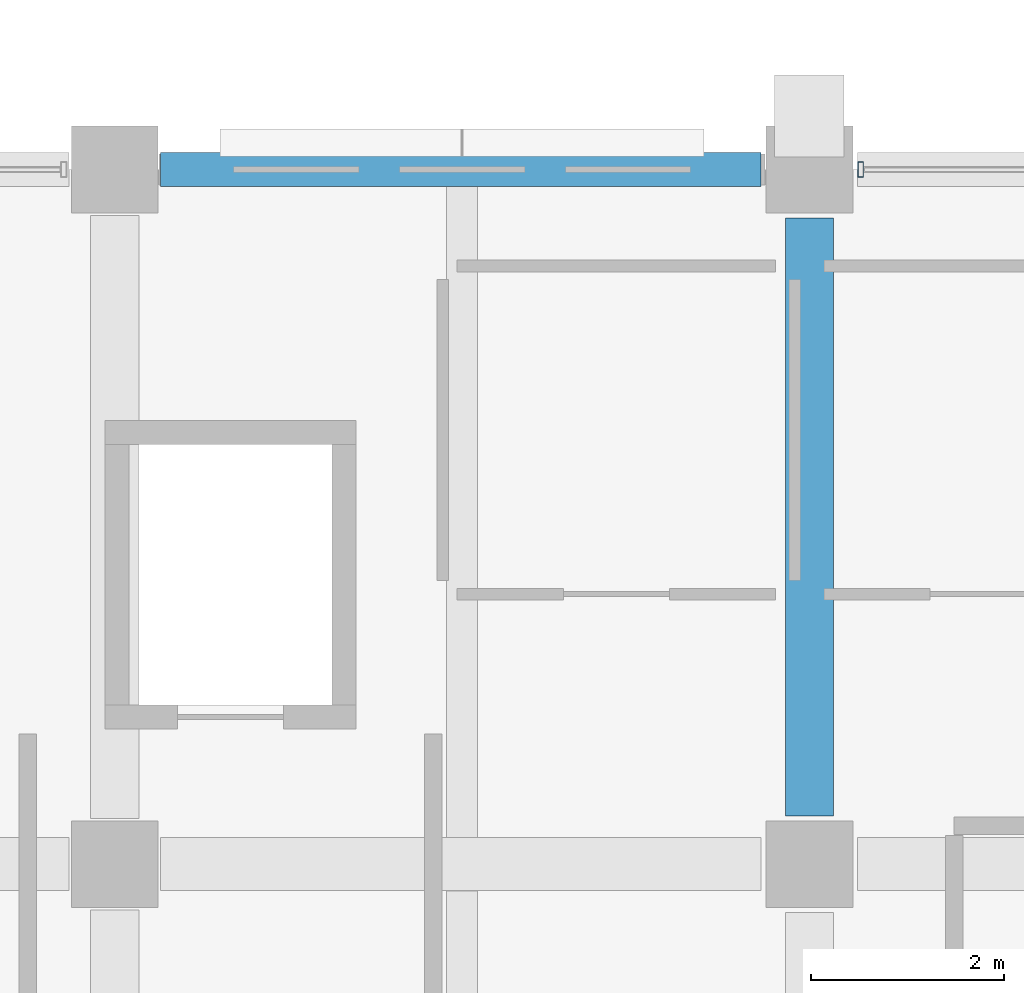
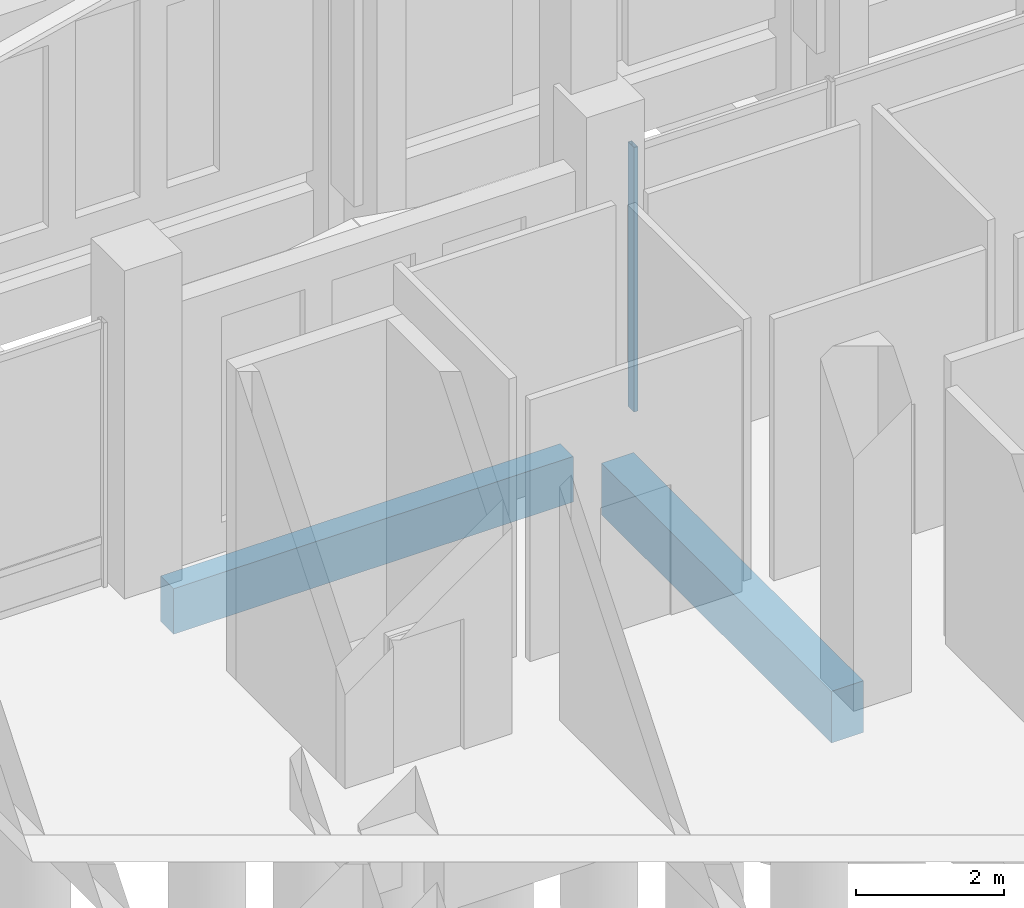
# One storey, part 96 of 192: 2 beams, 1 member, 1 element without a shape of its own.
"""IFC4 building model written with IfcOpenShell, lengths in metres."""

from ifc_helpers import new_model, si_unit, direction, frame, origin, origin_2d, place, context, subcontext, project, spatial, rectangle, hollow_rectangle, extrude, material, material_profile, profile_set, type_object, element, aggregate, save


model = new_model("IFC4")

# Units and contexts
model_context = context("Model", 3, precision=1e-05, world=origin(), true_north=direction((0.0, 1.0)))
body_context = subcontext(model_context, "Body", "Model", "MODEL_VIEW")
ifc_project = project(units=[si_unit("LENGTHUNIT", "METRE"), si_unit("AREAUNIT", "SQUARE_METRE"), si_unit("VOLUMEUNIT", "CUBIC_METRE"), si_unit("PLANEANGLEUNIT", "RADIAN"), si_unit("MASSUNIT", "GRAM", prefix="KILO")], contexts=[model_context])

# Site, building, storey
site_placement = place(None, origin())
site = spatial("IfcSite", under=ifc_project, at=site_placement, CompositionType="ELEMENT")
building_placement = place(site_placement, origin())
building = spatial("IfcBuilding", under=site, at=building_placement, Name="Cendralis Lancet Convention Centre", CompositionType="ELEMENT")
storey_placement = place(building_placement, origin())
storey = spatial("IfcBuildingStorey", under=building, at=storey_placement, Name="L00", CompositionType="ELEMENT", Elevation=0.0)

# Curtain wall, member
ifc_material_1 = material(Name="Anodised bronze architectural aluminium", Category="aluminium")
curtain_wall_type = type_object("IfcCurtainWallType", Name="ARC-CW-CL01", PredefinedType="USERDEFINED", material=ifc_material_1)
curtain_wall_placement = place(storey_placement, origin())
curtain_wall = element("IfcCurtainWall", 1, at=curtain_wall_placement, inside=storey, type_object=curtain_wall_type, Name="L00 Curtain Wall CW-CL1 #181", ObjectType="CURTAIN WALL", PredefinedType="USERDEFINED")
ifc_material_profile_1 = material_profile(ifc_material_1, hollow_rectangle(XDim=0.06005859375, YDim=0.159912109375, WallThickness=0.00390625, at=origin_2d()), Name="AL-MULL 60x160x4.0")
ifc_profile_set_1 = profile_set([ifc_material_profile_1], Name="Anodised bronze architectural aluminium")
member_type = type_object("IfcMemberType", Name="ARC-CW-ML01", PredefinedType="MULLION", material=ifc_profile_set_1)
member_placement = place(storey_placement, frame((190.1298828125, 36.0, 0.0), z_axis=(0.0, 0.0, 1.0), x_axis=(1.0, 0.0, 0.0)))
member = element("IfcMember", 2, at=member_placement, type_object=member_type, Name="Mullion CW2-CW-CL1-L00-181-M0", PredefinedType="MULLION", context=body_context, shape_type="SweptSolid", body=[
    extrude(hollow_rectangle(XDim=0.06005859375, YDim=0.159912109375, WallThickness=0.00390625, at=origin_2d()), origin(), (0.0, 0.0, 1.0), 4.35498046875),
])
aggregate(curtain_wall, [member])

# Beams
ifc_material_2 = material(Name="Concrete G35 (C35/45)", Category="concrete")
ifc_material_profile_2 = material_profile(ifc_material_2, rectangle(XDim=0.5, YDim=0.85009765625, at=origin_2d()), Name="RCB 500x850")
ifc_profile_set_2 = profile_set([ifc_material_profile_2], Name="Concrete G35 (C35/45)")
beam_type_1 = type_object("IfcBeamType", Name="STR-BM-BG08", PredefinedType="BEAM", material=ifc_profile_set_2)
beam_1_placement = place(storey_placement, frame((189.60009765625, 29.300048828125, -0.7451171875), z_axis=(0.0, 1.0, 0.0), x_axis=(-1.0, 0.0, 0.0)))
element("IfcBeam", 3, at=beam_1_placement, inside=storey, type_object=beam_type_1, Name="L00 Beam BG08 #0084", PredefinedType="BEAM", context=body_context, shape_type="SweptSolid", body=[
    extrude(rectangle(XDim=0.5, YDim=0.85009765625, at=origin_2d()), origin(), (0.0, 0.0, 1.0), 6.199951171875),
])
ifc_material_3 = material(Name="Concrete G40 (C40/50)", Category="concrete")
ifc_material_profile_3 = material_profile(ifc_material_3, rectangle(XDim=0.35009765625, YDim=0.75, at=origin_2d()), Name="RCB 350x750")
ifc_profile_set_3 = profile_set([ifc_material_profile_3], Name="Concrete G40 (C40/50)")
beam_type_2 = type_object("IfcBeamType", Name="STR-SP-SP01", PredefinedType="SPANDREL", material=ifc_profile_set_3)
beam_2_placement = place(storey_placement, frame((182.875, 36.0, -0.695068359375), z_axis=(1.0, 0.0, 0.0), x_axis=(0.0, 1.0, 0.0)))
element("IfcBeam", 4, at=beam_2_placement, inside=storey, type_object=beam_type_2, Name="L00 Beam SP01 #0048", PredefinedType="SPANDREL", context=body_context, shape_type="SweptSolid", body=[
    extrude(rectangle(XDim=0.35009765625, YDim=0.75, at=origin_2d()), origin(), (0.0, 0.0, 1.0), 6.22509765625),
])

save(model, "model.ifc")
